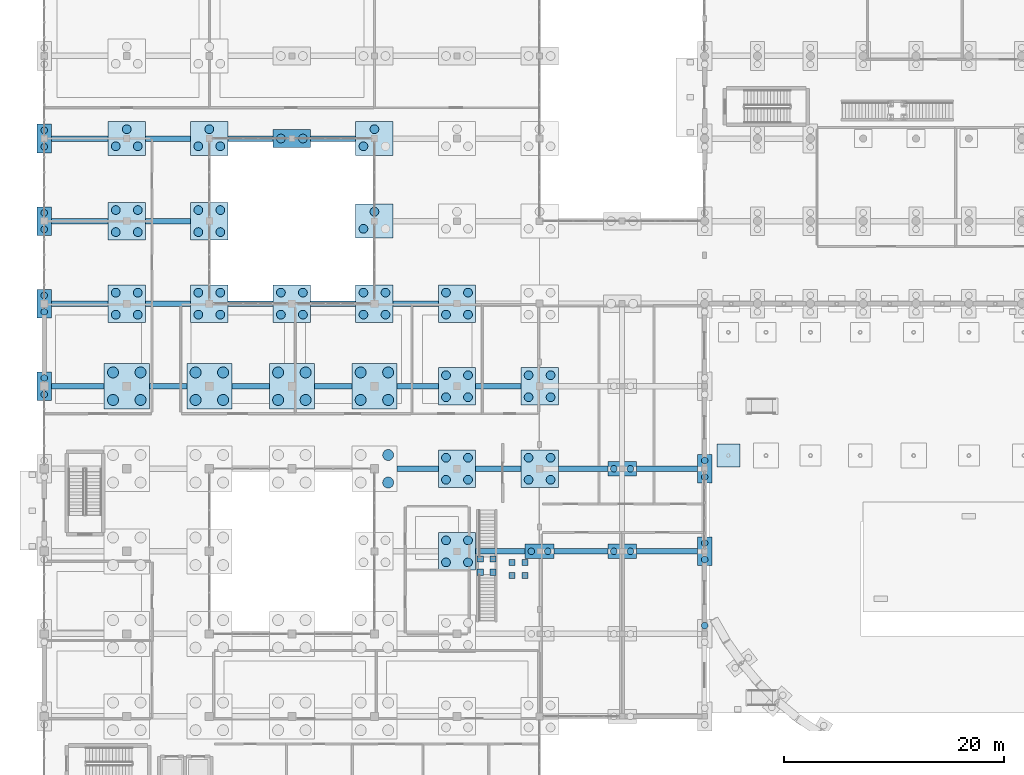
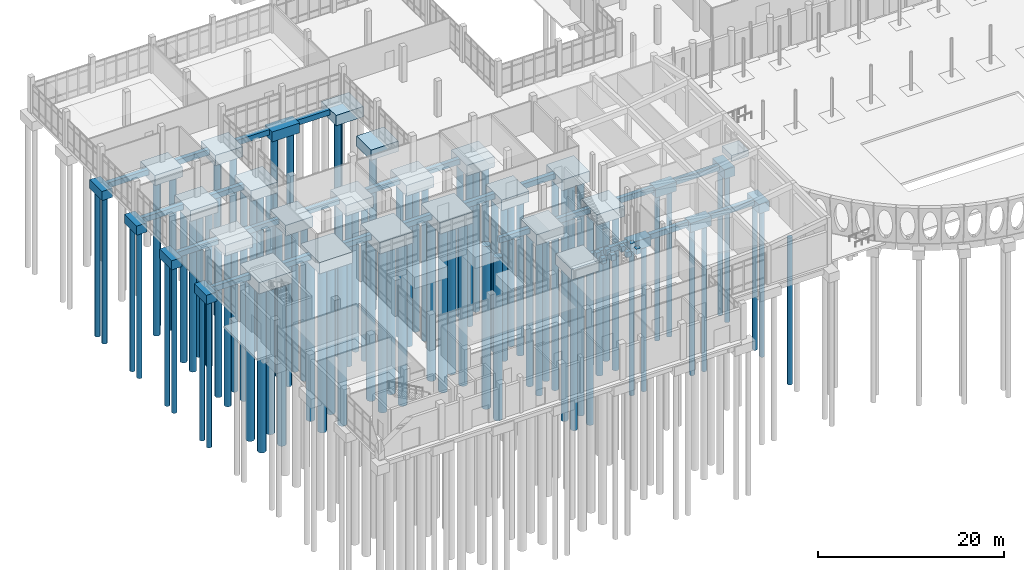
# One storey, part 2 of 173: 97 piles, 63 footings.
"""IFC4 building model written with IfcOpenShell, lengths in metres."""

from ifc_helpers import new_model, si_unit, direction, frame, origin, origin_2d, place, context, subcontext, project, spatial, rectangle, circle, extrude, material, material_profile, profile_set, type_object, element, save


model = new_model("IFC4")

# Units and contexts
model_context = context("Model", 3, precision=1e-05, world=origin(), true_north=direction((0.0, 1.0)))
body_context = subcontext(model_context, "Body", "Model", "MODEL_VIEW")
ifc_project = project(units=[si_unit("LENGTHUNIT", "METRE"), si_unit("AREAUNIT", "SQUARE_METRE"), si_unit("VOLUMEUNIT", "CUBIC_METRE"), si_unit("PLANEANGLEUNIT", "RADIAN"), si_unit("MASSUNIT", "GRAM", prefix="KILO")], contexts=[model_context])

# Site, building, storey
site_placement = place(None, origin())
site = spatial("IfcSite", under=ifc_project, at=site_placement, CompositionType="ELEMENT")
building_placement = place(site_placement, origin())
building = spatial("IfcBuilding", under=site, at=building_placement, Name="Mawjan Specialist Oncology Clinic", CompositionType="ELEMENT")
storey_placement = place(building_placement, origin())
storey = spatial("IfcBuildingStorey", under=building, at=storey_placement, Name="L00", CompositionType="ELEMENT", Elevation=0.0)

# Footings
ifc_material_1 = material(Name="Concrete C40/50", Category="concrete")
footing_type_1 = type_object("IfcFootingType", Name="PC-2A", PredefinedType="PILE_CAP", material=ifc_material_1)
for number, where, z_axis, x_axis, name in (
    (1, (0.0, 38.300048828125, -1.6201171875), (0.0, 0.0, 1.0), (0.0, 1.0, 0.0), "Pile Cap FTG-PC-006"),
    (2, (0.0, 45.800048828125, -1.6201171875), (0.0, 0.0, 1.0), (0.0, 1.0, 0.0), "Pile Cap FTG-PC-007"),
    (3, (0.0, 53.300048828125, -1.6201171875), (0.0, 0.0, 1.0), (0.0, 1.0, 0.0), "Pile Cap FTG-PC-008"),
    (4, (0.0, 60.800048828125, -1.6201171875), (0.0, 0.0, 1.0), (0.0, 1.0, 0.0), "Pile Cap FTG-PC-009"),
    (5, (45.0, 23.300048828125, -1.6201171875), (0.0, 0.0, 1.0), (1.0, 0.0, 0.0), "Pile Cap FTG-PC-078"),
    (6, (52.5, 23.300048828125, -1.6201171875), (0.0, 0.0, 1.0), (1.0, 0.0, 0.0), "Pile Cap FTG-PC-093"),
    (7, (52.5, 30.800048828125, -1.6201171875), (0.0, 0.0, 1.0), (1.0, 0.0, 0.0), "Pile Cap FTG-PC-094"),
    (8, (60.0, 23.300048828125, -1.6201171875), (0.0, 0.0, 1.0), (0.0, 1.0, 0.0), "Pile Cap FTG-PC-106"),
    (9, (60.0, 30.800048828125, -1.6201171875), (0.0, 0.0, 1.0), (0.0, 1.0, 0.0), "Pile Cap FTG-PC-107"),
):
    element("IfcFooting", number, at=place(storey_placement, frame(where, z_axis=z_axis, x_axis=x_axis)), inside=storey, type_object=footing_type_1, Name=name, PredefinedType="PILE_CAP", context=body_context, shape_type="SweptSolid", body=[
        extrude(rectangle(XDim=2.60009765625, YDim=1.300048828125, at=origin_2d()), origin(), (0.0, 0.0, 1.0), 1.199951171875),
    ])
ifc_material_2 = material(Name="Concrete C40/50", Category="concrete")
footing_type_2 = type_object("IfcFootingType", Name="PC-2B", PredefinedType="PILE_CAP", material=ifc_material_2)
footing_1_placement = place(storey_placement, frame((22.5, 60.800048828125, -1.72021484375), z_axis=(0.0, 0.0, 1.0), x_axis=(1.0, 0.0, 0.0)))
element("IfcFooting", 10, at=footing_1_placement, inside=storey, type_object=footing_type_2, Name="Pile Cap FTG-PC-040", PredefinedType="PILE_CAP", context=body_context, shape_type="SweptSolid", body=[
    extrude(rectangle(XDim=3.39990234375, YDim=1.60009765625, at=origin_2d()), origin(), (0.0, 0.0, 1.0), 1.300048828125),
])
ifc_material_3 = material(Name="Concrete C40/50", Category="concrete")
footing_type_3 = type_object("IfcFootingType", Name="PC-3A", PredefinedType="PILE_CAP", material=ifc_material_3)
for number, where, z_axis, x_axis, name in (
    (11, (7.5, 60.800048828125, -1.77001953125), (0.0, 0.0, 1.0), (1.0, 0.0, 0.0), "Pile Cap FTG-PC-020"),
    (12, (15.0, 60.800048828125, -1.77001953125), (0.0, 0.0, 1.0), (1.0, 0.0, 0.0), "Pile Cap FTG-PC-031"),
    (13, (30.0, 53.300048828125, -1.77001953125), (0.0, 0.0, 1.0), (1.0, 0.0, 0.0), "Pile Cap FTG-PC-050"),
    (14, (30.0, 60.800048828125, -1.77001953125), (0.0, 0.0, 1.0), (1.0, 0.0, 0.0), "Pile Cap FTG-PC-051"),
):
    element("IfcFooting", number, at=place(storey_placement, frame(where, z_axis=z_axis, x_axis=x_axis)), inside=storey, type_object=footing_type_3, Name=name, PredefinedType="PILE_CAP", context=body_context, shape_type="SweptSolid", body=[
        extrude(rectangle(XDim=3.39990234375, YDim=3.10009765625, at=origin_2d()), origin(), (0.0, 0.0, 1.0), 1.35009765625),
    ])
ifc_material_4 = material(Name="Concrete C40/50", Category="concrete")
footing_type_4 = type_object("IfcFootingType", Name="PC-4A", PredefinedType="PILE_CAP", material=ifc_material_4)
for number, where, z_axis, x_axis, name in (
    (15, (7.5, 45.800048828125, -1.820068359375), (0.0, 0.0, 1.0), (1.0, 0.0, 0.0), "Pile Cap FTG-PC-018"),
    (16, (7.5, 53.300048828125, -1.820068359375), (0.0, 0.0, 1.0), (1.0, 0.0, 0.0), "Pile Cap FTG-PC-019"),
    (17, (15.0, 45.800048828125, -1.820068359375), (0.0, 0.0, 1.0), (1.0, 0.0, 0.0), "Pile Cap FTG-PC-029"),
    (18, (15.0, 53.300048828125, -1.820068359375), (0.0, 0.0, 1.0), (1.0, 0.0, 0.0), "Pile Cap FTG-PC-030"),
    (19, (22.5, 45.800048828125, -1.820068359375), (0.0, 0.0, 1.0), (1.0, 0.0, 0.0), "Pile Cap FTG-PC-039"),
    (20, (30.0, 45.800048828125, -1.820068359375), (0.0, 0.0, 1.0), (1.0, 0.0, 0.0), "Pile Cap FTG-PC-049"),
    (21, (37.5, 23.300048828125, -1.820068359375), (0.0, 0.0, 1.0), (1.0, 0.0, 0.0), "Pile Cap FTG-PC-062"),
    (22, (37.5, 30.800048828125, -1.820068359375), (0.0, 0.0, 1.0), (1.0, 0.0, 0.0), "Pile Cap FTG-PC-063"),
    (23, (37.5, 38.300048828125, -1.820068359375), (0.0, 0.0, 1.0), (1.0, 0.0, 0.0), "Pile Cap FTG-PC-064"),
    (24, (37.5, 45.800048828125, -1.820068359375), (0.0, 0.0, 1.0), (1.0, 0.0, 0.0), "Pile Cap FTG-PC-065"),
    (25, (45.0, 30.800048828125, -1.820068359375), (0.0, 0.0, 1.0), (1.0, 0.0, 0.0), "Pile Cap FTG-PC-079"),
    (26, (45.0, 38.300048828125, -1.820068359375), (0.0, 0.0, 1.0), (1.0, 0.0, 0.0), "Pile Cap FTG-PC-080"),
):
    element("IfcFooting", number, at=place(storey_placement, frame(where, z_axis=z_axis, x_axis=x_axis)), inside=storey, type_object=footing_type_4, Name=name, PredefinedType="PILE_CAP", context=body_context, shape_type="SweptSolid", body=[
        extrude(rectangle(XDim=3.39990234375, YDim=3.39990234375, at=origin_2d()), origin(), (0.0, 0.0, 1.0), 1.39990234375),
    ])
ifc_material_5 = material(Name="Concrete C40/50", Category="concrete")
footing_type_5 = type_object("IfcFootingType", Name="PC-4B", PredefinedType="PILE_CAP", material=ifc_material_5)
for number, where, z_axis, x_axis, name in (
    (27, (7.5, 38.300048828125, -1.919921875), (0.0, 0.0, 1.0), (1.0, 0.0, 0.0), "Pile Cap FTG-PC-017"),
    (28, (15.0, 38.300048828125, -1.919921875), (0.0, 0.0, 1.0), (1.0, 0.0, 0.0), "Pile Cap FTG-PC-028"),
    (29, (22.5, 38.300048828125, -1.919921875), (0.0, 0.0, 1.0), (1.0, 0.0, 0.0), "Pile Cap FTG-PC-038"),
    (30, (30.0, 38.300048828125, -1.919921875), (0.0, 0.0, 1.0), (1.0, 0.0, 0.0), "Pile Cap FTG-PC-048"),
):
    element("IfcFooting", number, at=place(storey_placement, frame(where, z_axis=z_axis, x_axis=x_axis)), inside=storey, type_object=footing_type_5, Name=name, PredefinedType="PILE_CAP", context=body_context, shape_type="SweptSolid", body=[
        extrude(rectangle(XDim=4.10009765625, YDim=4.10009765625, at=origin_2d()), origin(), (0.0, 0.0, 1.0), 1.5),
    ])
ifc_material_6 = material(Name="Concrete C40/50", Category="concrete")
footing_type_6 = type_object("IfcFootingType", Name="PF-GDN1", PredefinedType="PAD_FOOTING", material=ifc_material_6)
footing_2_placement = place(storey_placement, frame((62.152587890625, 32.0, -0.7998046875), z_axis=(0.0, 0.0, 1.0), x_axis=(1.0, 0.0, 0.0)))
element("IfcFooting", 31, at=footing_2_placement, inside=storey, type_object=footing_type_6, Name="Courtyard Canopy Pad Footing 1", PredefinedType="PAD_FOOTING", context=body_context, shape_type="SweptSolid", body=[
    extrude(rectangle(XDim=2.10009765625, YDim=2.10009765625, at=origin_2d()), origin(), (0.0, 0.0, 1.0), 0.800048828125),
])

# Piles
ifc_material_7 = material(Name="Concrete C40/50", Category="concrete")
ifc_material_profile_1 = material_profile(ifc_material_7, circle(Radius=0.5, at=origin_2d()), Name="BORED PILE D1000", Category="concrete")
ifc_profile_set_1 = profile_set([ifc_material_profile_1], Name="Concrete C40/50")
pile_type_1 = type_object("IfcPileType", Name="PILE-1000", PredefinedType="BORED", material=ifc_profile_set_1)
for number, where, z_axis, x_axis, name in (
    (32, (6.25, 37.050048828125, -1.820068359375), (0.0, 0.0, -1.0), (1.0, 0.0, 0.0), "Bored Pile PIL-0040"),
    (33, (8.75, 37.050048828125, -1.820068359375), (0.0, 0.0, -1.0), (1.0, 0.0, 0.0), "Bored Pile PIL-0041"),
    (34, (6.25, 39.550048828125, -1.820068359375), (0.0, 0.0, -1.0), (1.0, 0.0, 0.0), "Bored Pile PIL-0042"),
    (35, (8.75, 39.550048828125, -1.820068359375), (0.0, 0.0, -1.0), (1.0, 0.0, 0.0), "Bored Pile PIL-0043"),
    (36, (13.75, 37.050048828125, -1.820068359375), (0.0, 0.0, -1.0), (1.0, 0.0, 0.0), "Bored Pile PIL-0079"),
    (37, (16.25, 37.050048828125, -1.820068359375), (0.0, 0.0, -1.0), (1.0, 0.0, 0.0), "Bored Pile PIL-0080"),
    (38, (13.75, 39.550048828125, -1.820068359375), (0.0, 0.0, -1.0), (1.0, 0.0, 0.0), "Bored Pile PIL-0081"),
    (39, (16.25, 39.550048828125, -1.820068359375), (0.0, 0.0, -1.0), (1.0, 0.0, 0.0), "Bored Pile PIL-0082"),
    (40, (21.25, 37.050048828125, -1.820068359375), (0.0, 0.0, -1.0), (1.0, 0.0, 0.0), "Bored Pile PIL-0114"),
    (41, (23.75, 37.050048828125, -1.820068359375), (0.0, 0.0, -1.0), (1.0, 0.0, 0.0), "Bored Pile PIL-0115"),
    (42, (21.25, 39.550048828125, -1.820068359375), (0.0, 0.0, -1.0), (1.0, 0.0, 0.0), "Bored Pile PIL-0116"),
    (43, (23.75, 39.550048828125, -1.820068359375), (0.0, 0.0, -1.0), (1.0, 0.0, 0.0), "Bored Pile PIL-0117"),
    (44, (31.25, 29.550048828125, -1.820068359375), (0.0, 0.0, -1.0), (1.0, 0.0, 0.0), "Bored Pile PIL-0143"),
    (45, (31.25, 32.050048828125, -1.820068359375), (0.0, 0.0, -1.0), (1.0, 0.0, 0.0), "Bored Pile PIL-0145"),
    (46, (28.75, 37.050048828125, -1.820068359375), (0.0, 0.0, -1.0), (1.0, 0.0, 0.0), "Bored Pile PIL-0146"),
    (47, (31.25, 37.050048828125, -1.820068359375), (0.0, 0.0, -1.0), (1.0, 0.0, 0.0), "Bored Pile PIL-0147"),
    (48, (28.75, 39.550048828125, -1.820068359375), (0.0, 0.0, -1.0), (1.0, 0.0, 0.0), "Bored Pile PIL-0148"),
    (49, (31.25, 39.550048828125, -1.820068359375), (0.0, 0.0, -1.0), (1.0, 0.0, 0.0), "Bored Pile PIL-0149"),
):
    element("IfcPile", number, at=place(storey_placement, frame(where, z_axis=z_axis, x_axis=x_axis)), inside=storey, type_object=pile_type_1, Name=name, PredefinedType="BORED", context=body_context, shape_type="SweptSolid", body=[
        extrude(circle(Radius=0.5, at=origin_2d()), origin(), (0.0, 0.0, 1.0), 21.3798828125),
    ])
ifc_material_8 = material(Name="Concrete C40/50", Category="concrete")
ifc_material_profile_2 = material_profile(ifc_material_8, circle(Radius=0.300048828125, at=origin_2d()), Name="BORED PILE D600", Category="concrete")
ifc_profile_set_2 = profile_set([ifc_material_profile_2], Name="Concrete C40/50")
pile_type_2 = type_object("IfcPileType", Name="PILE-600", PredefinedType="BORED", material=ifc_profile_set_2)
for number, where, z_axis, x_axis, name in (
    (50, (0.0, 37.550048828125, -1.52001953125), (0.0, 0.0, -1.0), (1.0, 0.0, 0.0), "Bored Pile PIL-0010"),
    (51, (0.0, 39.050048828125, -1.52001953125), (0.0, 0.0, -1.0), (1.0, 0.0, 0.0), "Bored Pile PIL-0011"),
    (52, (0.0, 45.050048828125, -1.52001953125), (0.0, 0.0, -1.0), (1.0, 0.0, 0.0), "Bored Pile PIL-0012"),
    (53, (0.0, 46.550048828125, -1.52001953125), (0.0, 0.0, -1.0), (1.0, 0.0, 0.0), "Bored Pile PIL-0013"),
    (54, (0.0, 52.550048828125, -1.52001953125), (0.0, 0.0, -1.0), (1.0, 0.0, 0.0), "Bored Pile PIL-0014"),
    (55, (0.0, 54.050048828125, -1.52001953125), (0.0, 0.0, -1.0), (1.0, 0.0, 0.0), "Bored Pile PIL-0015"),
    (56, (0.0, 60.050048828125, -1.52001953125), (0.0, 0.0, -1.0), (1.0, 0.0, 0.0), "Bored Pile PIL-0016"),
    (57, (0.0, 61.550048828125, -1.52001953125), (0.0, 0.0, -1.0), (1.0, 0.0, 0.0), "Bored Pile PIL-0017"),
    (58, (44.25, 23.300048828125, -1.52001953125), (0.0, 0.0, -1.0), (1.0, 0.0, 0.0), "Bored Pile PIL-0228"),
    (59, (45.75, 23.300048828125, -1.52001953125), (0.0, 0.0, -1.0), (1.0, 0.0, 0.0), "Bored Pile PIL-0229"),
    (60, (51.75, 23.300048828125, -1.52001953125), (0.0, 0.0, -1.0), (1.0, 0.0, 0.0), "Bored Pile PIL-0275"),
    (61, (53.25, 23.300048828125, -1.52001953125), (0.0, 0.0, -1.0), (1.0, 0.0, 0.0), "Bored Pile PIL-0276"),
    (62, (51.75, 30.800048828125, -1.52001953125), (0.0, 0.0, -1.0), (1.0, 0.0, 0.0), "Bored Pile PIL-0277"),
    (63, (53.25, 30.800048828125, -1.52001953125), (0.0, 0.0, -1.0), (1.0, 0.0, 0.0), "Bored Pile PIL-0278"),
    (64, (60.0, 16.550048828125, -1.52001953125), (0.0, 0.0, -1.0), (1.0, 0.0, 0.0), "Bored Pile PIL-0308"),
    (65, (60.0, 22.550048828125, -1.52001953125), (0.0, 0.0, -1.0), (1.0, 0.0, 0.0), "Bored Pile PIL-0309"),
    (66, (60.0, 24.050048828125, -1.52001953125), (0.0, 0.0, -1.0), (1.0, 0.0, 0.0), "Bored Pile PIL-0310"),
    (67, (60.0, 30.050048828125, -1.52001953125), (0.0, 0.0, -1.0), (1.0, 0.0, 0.0), "Bored Pile PIL-0311"),
    (68, (60.0, 31.550048828125, -1.52001953125), (0.0, 0.0, -1.0), (1.0, 0.0, 0.0), "Bored Pile PIL-0312"),
):
    element("IfcPile", number, at=place(storey_placement, frame(where, z_axis=z_axis, x_axis=x_axis)), inside=storey, type_object=pile_type_2, Name=name, PredefinedType="BORED", context=body_context, shape_type="SweptSolid", body=[
        extrude(circle(Radius=0.300048828125, at=origin_2d()), origin(), (0.0, 0.0, 1.0), 19.280029296875),
    ])
ifc_material_9 = material(Name="Concrete C40/50", Category="concrete")
ifc_material_profile_3 = material_profile(ifc_material_9, circle(Radius=0.39990234375, at=origin_2d()), Name="BORED PILE D800", Category="concrete")
ifc_profile_set_3 = profile_set([ifc_material_profile_3], Name="Concrete C40/50")
pile_type_3 = type_object("IfcPileType", Name="PILE-800", PredefinedType="BORED", material=ifc_profile_set_3)
for number, where, z_axis, x_axis, name in (
    (69, (6.5, 44.800048828125, -1.719970703125), (0.0, 0.0, -1.0), (1.0, 0.0, 0.0), "Bored Pile PIL-0044"),
    (70, (8.5, 44.800048828125, -1.719970703125), (0.0, 0.0, -1.0), (1.0, 0.0, 0.0), "Bored Pile PIL-0045"),
    (71, (6.5, 46.800048828125, -1.719970703125), (0.0, 0.0, -1.0), (1.0, 0.0, 0.0), "Bored Pile PIL-0046"),
    (72, (8.5, 46.800048828125, -1.719970703125), (0.0, 0.0, -1.0), (1.0, 0.0, 0.0), "Bored Pile PIL-0047"),
    (73, (6.5, 52.300048828125, -1.719970703125), (0.0, 0.0, -1.0), (1.0, 0.0, 0.0), "Bored Pile PIL-0048"),
    (74, (8.5, 52.300048828125, -1.719970703125), (0.0, 0.0, -1.0), (1.0, 0.0, 0.0), "Bored Pile PIL-0049"),
    (75, (6.5, 54.300048828125, -1.719970703125), (0.0, 0.0, -1.0), (1.0, 0.0, 0.0), "Bored Pile PIL-0050"),
    (76, (8.5, 54.300048828125, -1.719970703125), (0.0, 0.0, -1.0), (1.0, 0.0, 0.0), "Bored Pile PIL-0051"),
):
    element("IfcPile", number, at=place(storey_placement, frame(where, z_axis=z_axis, x_axis=x_axis)), inside=storey, type_object=pile_type_3, Name=name, PredefinedType="BORED", context=body_context, shape_type="SweptSolid", body=[
        extrude(circle(Radius=0.39990234375, at=origin_2d()), origin(), (0.0, 0.0, 1.0), 20.280029296875),
    ])
for number, where, z_axis, x_axis, name in (
    (77, (6.5, 60.10009765625, -1.669921875), (0.0, 0.0, -1.0), (1.0, 0.0, 0.0), "Bored Pile PIL-0052"),
    (78, (8.5, 60.10009765625, -1.669921875), (0.0, 0.0, -1.0), (1.0, 0.0, 0.0), "Bored Pile PIL-0053"),
    (79, (7.5, 61.64990234375, -1.669921875), (0.0, 0.0, -1.0), (1.0, 0.0, 0.0), "Bored Pile PIL-0054"),
):
    element("IfcPile", number, at=place(storey_placement, frame(where, z_axis=z_axis, x_axis=x_axis)), inside=storey, type_object=pile_type_3, Name=name, PredefinedType="BORED", context=body_context, shape_type="SweptSolid", body=[
        extrude(circle(Radius=0.39990234375, at=origin_2d()), origin(), (0.0, 0.0, 1.0), 20.330078125),
    ])
for number, where, z_axis, x_axis, name in (
    (80, (14.0, 44.800048828125, -1.719970703125), (0.0, 0.0, -1.0), (1.0, 0.0, 0.0), "Bored Pile PIL-0083"),
    (81, (16.0, 44.800048828125, -1.719970703125), (0.0, 0.0, -1.0), (1.0, 0.0, 0.0), "Bored Pile PIL-0084"),
    (82, (14.0, 46.800048828125, -1.719970703125), (0.0, 0.0, -1.0), (1.0, 0.0, 0.0), "Bored Pile PIL-0085"),
    (83, (16.0, 46.800048828125, -1.719970703125), (0.0, 0.0, -1.0), (1.0, 0.0, 0.0), "Bored Pile PIL-0086"),
    (84, (14.0, 52.300048828125, -1.719970703125), (0.0, 0.0, -1.0), (1.0, 0.0, 0.0), "Bored Pile PIL-0087"),
    (85, (16.0, 52.300048828125, -1.719970703125), (0.0, 0.0, -1.0), (1.0, 0.0, 0.0), "Bored Pile PIL-0088"),
    (86, (14.0, 54.300048828125, -1.719970703125), (0.0, 0.0, -1.0), (1.0, 0.0, 0.0), "Bored Pile PIL-0089"),
    (87, (16.0, 54.300048828125, -1.719970703125), (0.0, 0.0, -1.0), (1.0, 0.0, 0.0), "Bored Pile PIL-0090"),
):
    element("IfcPile", number, at=place(storey_placement, frame(where, z_axis=z_axis, x_axis=x_axis)), inside=storey, type_object=pile_type_3, Name=name, PredefinedType="BORED", context=body_context, shape_type="SweptSolid", body=[
        extrude(circle(Radius=0.39990234375, at=origin_2d()), origin(), (0.0, 0.0, 1.0), 20.280029296875),
    ])
for number, where, z_axis, x_axis, name in (
    (88, (14.0, 60.10009765625, -1.669921875), (0.0, 0.0, -1.0), (1.0, 0.0, 0.0), "Bored Pile PIL-0091"),
    (89, (16.0, 60.10009765625, -1.669921875), (0.0, 0.0, -1.0), (1.0, 0.0, 0.0), "Bored Pile PIL-0092"),
    (90, (15.0, 61.64990234375, -1.669921875), (0.0, 0.0, -1.0), (1.0, 0.0, 0.0), "Bored Pile PIL-0093"),
):
    element("IfcPile", number, at=place(storey_placement, frame(where, z_axis=z_axis, x_axis=x_axis)), inside=storey, type_object=pile_type_3, Name=name, PredefinedType="BORED", context=body_context, shape_type="SweptSolid", body=[
        extrude(circle(Radius=0.39990234375, at=origin_2d()), origin(), (0.0, 0.0, 1.0), 20.330078125),
    ])
for number, where, z_axis, x_axis, name in (
    (91, (21.5, 44.800048828125, -1.719970703125), (0.0, 0.0, -1.0), (1.0, 0.0, 0.0), "Bored Pile PIL-0118"),
    (92, (23.5, 44.800048828125, -1.719970703125), (0.0, 0.0, -1.0), (1.0, 0.0, 0.0), "Bored Pile PIL-0119"),
    (93, (21.5, 46.800048828125, -1.719970703125), (0.0, 0.0, -1.0), (1.0, 0.0, 0.0), "Bored Pile PIL-0120"),
    (94, (23.5, 46.800048828125, -1.719970703125), (0.0, 0.0, -1.0), (1.0, 0.0, 0.0), "Bored Pile PIL-0121"),
):
    element("IfcPile", number, at=place(storey_placement, frame(where, z_axis=z_axis, x_axis=x_axis)), inside=storey, type_object=pile_type_3, Name=name, PredefinedType="BORED", context=body_context, shape_type="SweptSolid", body=[
        extrude(circle(Radius=0.39990234375, at=origin_2d()), origin(), (0.0, 0.0, 1.0), 20.280029296875),
    ])
for number, where, z_axis, x_axis, name in (
    (95, (21.5, 60.800048828125, -1.6201171875), (0.0, 0.0, -1.0), (1.0, 0.0, 0.0), "Bored Pile PIL-0122"),
    (96, (23.5, 60.800048828125, -1.6201171875), (0.0, 0.0, -1.0), (1.0, 0.0, 0.0), "Bored Pile PIL-0123"),
):
    element("IfcPile", number, at=place(storey_placement, frame(where, z_axis=z_axis, x_axis=x_axis)), inside=storey, type_object=pile_type_3, Name=name, PredefinedType="BORED", context=body_context, shape_type="SweptSolid", body=[
        extrude(circle(Radius=0.39990234375, at=origin_2d()), origin(), (0.0, 0.0, 1.0), 20.3798828125),
    ])
for number, where, z_axis, x_axis, name in (
    (97, (29.0, 44.800048828125, -1.719970703125), (0.0, 0.0, -1.0), (1.0, 0.0, 0.0), "Bored Pile PIL-0150"),
    (98, (31.0, 44.800048828125, -1.719970703125), (0.0, 0.0, -1.0), (1.0, 0.0, 0.0), "Bored Pile PIL-0151"),
    (99, (29.0, 46.800048828125, -1.719970703125), (0.0, 0.0, -1.0), (1.0, 0.0, 0.0), "Bored Pile PIL-0152"),
    (100, (31.0, 46.800048828125, -1.719970703125), (0.0, 0.0, -1.0), (1.0, 0.0, 0.0), "Bored Pile PIL-0153"),
):
    element("IfcPile", number, at=place(storey_placement, frame(where, z_axis=z_axis, x_axis=x_axis)), inside=storey, type_object=pile_type_3, Name=name, PredefinedType="BORED", context=body_context, shape_type="SweptSolid", body=[
        extrude(circle(Radius=0.39990234375, at=origin_2d()), origin(), (0.0, 0.0, 1.0), 20.280029296875),
    ])
for number, where, z_axis, x_axis, name in (
    (101, (29.0, 52.60009765625, -1.669921875), (0.0, 0.0, -1.0), (1.0, 0.0, 0.0), "Bored Pile PIL-0154"),
    (102, (30.0, 54.14990234375, -1.669921875), (0.0, 0.0, -1.0), (1.0, 0.0, 0.0), "Bored Pile PIL-0156"),
    (103, (29.0, 60.10009765625, -1.669921875), (0.0, 0.0, -1.0), (1.0, 0.0, 0.0), "Bored Pile PIL-0157"),
    (104, (30.0, 61.64990234375, -1.669921875), (0.0, 0.0, -1.0), (1.0, 0.0, 0.0), "Bored Pile PIL-0159"),
):
    element("IfcPile", number, at=place(storey_placement, frame(where, z_axis=z_axis, x_axis=x_axis)), inside=storey, type_object=pile_type_3, Name=name, PredefinedType="BORED", context=body_context, shape_type="SweptSolid", body=[
        extrude(circle(Radius=0.39990234375, at=origin_2d()), origin(), (0.0, 0.0, 1.0), 20.330078125),
    ])
for number, where, z_axis, x_axis, name in (
    (105, (36.5, 22.300048828125, -1.719970703125), (0.0, 0.0, -1.0), (1.0, 0.0, 0.0), "Bored Pile PIL-0184"),
    (106, (38.5, 22.300048828125, -1.719970703125), (0.0, 0.0, -1.0), (1.0, 0.0, 0.0), "Bored Pile PIL-0185"),
    (107, (36.5, 24.300048828125, -1.719970703125), (0.0, 0.0, -1.0), (1.0, 0.0, 0.0), "Bored Pile PIL-0186"),
    (108, (38.5, 24.300048828125, -1.719970703125), (0.0, 0.0, -1.0), (1.0, 0.0, 0.0), "Bored Pile PIL-0187"),
    (109, (36.5, 29.800048828125, -1.719970703125), (0.0, 0.0, -1.0), (1.0, 0.0, 0.0), "Bored Pile PIL-0188"),
    (110, (38.5, 29.800048828125, -1.719970703125), (0.0, 0.0, -1.0), (1.0, 0.0, 0.0), "Bored Pile PIL-0189"),
    (111, (36.5, 31.800048828125, -1.719970703125), (0.0, 0.0, -1.0), (1.0, 0.0, 0.0), "Bored Pile PIL-0190"),
    (112, (38.5, 31.800048828125, -1.719970703125), (0.0, 0.0, -1.0), (1.0, 0.0, 0.0), "Bored Pile PIL-0191"),
    (113, (36.5, 37.300048828125, -1.719970703125), (0.0, 0.0, -1.0), (1.0, 0.0, 0.0), "Bored Pile PIL-0192"),
    (114, (38.5, 37.300048828125, -1.719970703125), (0.0, 0.0, -1.0), (1.0, 0.0, 0.0), "Bored Pile PIL-0193"),
    (115, (36.5, 39.300048828125, -1.719970703125), (0.0, 0.0, -1.0), (1.0, 0.0, 0.0), "Bored Pile PIL-0194"),
    (116, (38.5, 39.300048828125, -1.719970703125), (0.0, 0.0, -1.0), (1.0, 0.0, 0.0), "Bored Pile PIL-0195"),
    (117, (36.5, 44.800048828125, -1.719970703125), (0.0, 0.0, -1.0), (1.0, 0.0, 0.0), "Bored Pile PIL-0196"),
    (118, (38.5, 44.800048828125, -1.719970703125), (0.0, 0.0, -1.0), (1.0, 0.0, 0.0), "Bored Pile PIL-0197"),
    (119, (36.5, 46.800048828125, -1.719970703125), (0.0, 0.0, -1.0), (1.0, 0.0, 0.0), "Bored Pile PIL-0198"),
    (120, (38.5, 46.800048828125, -1.719970703125), (0.0, 0.0, -1.0), (1.0, 0.0, 0.0), "Bored Pile PIL-0199"),
    (121, (44.0, 29.800048828125, -1.719970703125), (0.0, 0.0, -1.0), (1.0, 0.0, 0.0), "Bored Pile PIL-0230"),
    (122, (46.0, 29.800048828125, -1.719970703125), (0.0, 0.0, -1.0), (1.0, 0.0, 0.0), "Bored Pile PIL-0231"),
    (123, (44.0, 31.800048828125, -1.719970703125), (0.0, 0.0, -1.0), (1.0, 0.0, 0.0), "Bored Pile PIL-0232"),
    (124, (46.0, 31.800048828125, -1.719970703125), (0.0, 0.0, -1.0), (1.0, 0.0, 0.0), "Bored Pile PIL-0233"),
    (125, (44.0, 37.300048828125, -1.719970703125), (0.0, 0.0, -1.0), (1.0, 0.0, 0.0), "Bored Pile PIL-0234"),
    (126, (46.0, 37.300048828125, -1.719970703125), (0.0, 0.0, -1.0), (1.0, 0.0, 0.0), "Bored Pile PIL-0235"),
    (127, (44.0, 39.300048828125, -1.719970703125), (0.0, 0.0, -1.0), (1.0, 0.0, 0.0), "Bored Pile PIL-0236"),
    (128, (46.0, 39.300048828125, -1.719970703125), (0.0, 0.0, -1.0), (1.0, 0.0, 0.0), "Bored Pile PIL-0237"),
):
    element("IfcPile", number, at=place(storey_placement, frame(where, z_axis=z_axis, x_axis=x_axis)), inside=storey, type_object=pile_type_3, Name=name, PredefinedType="BORED", context=body_context, shape_type="SweptSolid", body=[
        extrude(circle(Radius=0.39990234375, at=origin_2d()), origin(), (0.0, 0.0, 1.0), 20.280029296875),
    ])

# Footings
ifc_material_10 = material(Name="Concrete C40/50", Category="concrete")
footing_type_7 = type_object("IfcFootingType", Name="SF-500", PredefinedType="STRIP_FOOTING", material=ifc_material_10)
footing_3_placement = place(storey_placement, frame((41.449951171875, 23.300048828125, -1.1201171875), z_axis=(0.0, 0.0, 1.0), x_axis=(1.0, 0.0, 0.0)))
element("IfcFooting", 129, at=footing_3_placement, inside=storey, type_object=footing_type_7, Name="Foundation Tie Strip FTG-SF-050", PredefinedType="STRIP_FOOTING", context=body_context, shape_type="SweptSolid", body=[
    extrude(rectangle(XDim=4.5, YDim=0.5, at=origin_2d()), origin(), (0.0, 0.0, 1.0), 0.699951171875),
])
footing_4_placement = place(storey_placement, frame((48.75, 23.300048828125, -1.1201171875), z_axis=(0.0, 0.0, 1.0), x_axis=(1.0, 0.0, 0.0)))
element("IfcFooting", 130, at=footing_4_placement, inside=storey, type_object=footing_type_7, Name="Foundation Tie Strip FTG-SF-051", PredefinedType="STRIP_FOOTING", context=body_context, shape_type="SweptSolid", body=[
    extrude(rectangle(XDim=4.89990234375, YDim=0.5, at=origin_2d()), origin(), (0.0, 0.0, 1.0), 0.699951171875),
])
footing_5_placement = place(storey_placement, frame((56.574951171875, 23.300048828125, -1.1201171875), z_axis=(0.0, 0.0, 1.0), x_axis=(1.0, 0.0, 0.0)))
element("IfcFooting", 131, at=footing_5_placement, inside=storey, type_object=footing_type_7, Name="Foundation Tie Strip FTG-SF-052", PredefinedType="STRIP_FOOTING", context=body_context, shape_type="SweptSolid", body=[
    extrude(rectangle(XDim=5.550048828125, YDim=0.5, at=origin_2d()), origin(), (0.0, 0.0, 1.0), 0.699951171875),
])
footing_6_placement = place(storey_placement, frame((33.925048828125, 30.800048828125, -1.1201171875), z_axis=(0.0, 0.0, 1.0), x_axis=(1.0, 0.0, 0.0)))
element("IfcFooting", 132, at=footing_6_placement, inside=storey, type_object=footing_type_7, Name="Foundation Tie Strip FTG-SF-057", PredefinedType="STRIP_FOOTING", context=body_context, shape_type="SweptSolid", body=[
    extrude(rectangle(XDim=3.75, YDim=0.5, at=origin_2d()), origin(), (0.0, 0.0, 1.0), 0.699951171875),
])
footing_7_placement = place(storey_placement, frame((41.25, 30.800048828125, -1.1201171875), z_axis=(0.0, 0.0, 1.0), x_axis=(1.0, 0.0, 0.0)))
element("IfcFooting", 133, at=footing_7_placement, inside=storey, type_object=footing_type_7, Name="Foundation Tie Strip FTG-SF-058", PredefinedType="STRIP_FOOTING", context=body_context, shape_type="SweptSolid", body=[
    extrude(rectangle(XDim=4.10009765625, YDim=0.5, at=origin_2d()), origin(), (0.0, 0.0, 1.0), 0.699951171875),
])
footing_8_placement = place(storey_placement, frame((48.949951171875, 30.800048828125, -1.1201171875), z_axis=(0.0, 0.0, 1.0), x_axis=(1.0, 0.0, 0.0)))
element("IfcFooting", 134, at=footing_8_placement, inside=storey, type_object=footing_type_7, Name="Foundation Tie Strip FTG-SF-059", PredefinedType="STRIP_FOOTING", context=body_context, shape_type="SweptSolid", body=[
    extrude(rectangle(XDim=4.5, YDim=0.5, at=origin_2d()), origin(), (0.0, 0.0, 1.0), 0.699951171875),
])
footing_9_placement = place(storey_placement, frame((56.574951171875, 30.800048828125, -1.1201171875), z_axis=(0.0, 0.0, 1.0), x_axis=(1.0, 0.0, 0.0)))
element("IfcFooting", 135, at=footing_9_placement, inside=storey, type_object=footing_type_7, Name="Foundation Tie Strip FTG-SF-060", PredefinedType="STRIP_FOOTING", context=body_context, shape_type="SweptSolid", body=[
    extrude(rectangle(XDim=5.550048828125, YDim=0.5, at=origin_2d()), origin(), (0.0, 0.0, 1.0), 0.699951171875),
])
footing_10_placement = place(storey_placement, frame((3.050048828125, 38.300048828125, -1.1201171875), z_axis=(0.0, 0.0, 1.0), x_axis=(1.0, 0.0, 0.0)))
element("IfcFooting", 136, at=footing_10_placement, inside=storey, type_object=footing_type_7, Name="Foundation Tie Strip FTG-SF-061", PredefinedType="STRIP_FOOTING", context=body_context, shape_type="SweptSolid", body=[
    extrude(rectangle(XDim=4.800048828125, YDim=0.5, at=origin_2d()), origin(), (0.0, 0.0, 1.0), 0.699951171875),
])
for number, where, z_axis, x_axis, name in (
    (137, (11.25, 38.300048828125, -1.1201171875), (0.0, 0.0, 1.0), (1.0, 0.0, 0.0), "Foundation Tie Strip FTG-SF-062"),
    (138, (18.75, 38.300048828125, -1.1201171875), (0.0, 0.0, 1.0), (1.0, 0.0, 0.0), "Foundation Tie Strip FTG-SF-063"),
    (139, (26.25, 38.300048828125, -1.1201171875), (0.0, 0.0, 1.0), (1.0, 0.0, 0.0), "Foundation Tie Strip FTG-SF-064"),
):
    element("IfcFooting", number, at=place(storey_placement, frame(where, z_axis=z_axis, x_axis=x_axis)), inside=storey, type_object=footing_type_7, Name=name, PredefinedType="STRIP_FOOTING", context=body_context, shape_type="SweptSolid", body=[
        extrude(rectangle(XDim=3.39990234375, YDim=0.5, at=origin_2d()), origin(), (0.0, 0.0, 1.0), 0.699951171875),
    ])
footing_11_placement = place(storey_placement, frame((33.925048828125, 38.300048828125, -1.1201171875), z_axis=(0.0, 0.0, 1.0), x_axis=(1.0, 0.0, 0.0)))
element("IfcFooting", 140, at=footing_11_placement, inside=storey, type_object=footing_type_7, Name="Foundation Tie Strip FTG-SF-065", PredefinedType="STRIP_FOOTING", context=body_context, shape_type="SweptSolid", body=[
    extrude(rectangle(XDim=3.75, YDim=0.5, at=origin_2d()), origin(), (0.0, 0.0, 1.0), 0.699951171875),
])
footing_12_placement = place(storey_placement, frame((41.25, 38.300048828125, -1.1201171875), z_axis=(0.0, 0.0, 1.0), x_axis=(1.0, 0.0, 0.0)))
element("IfcFooting", 141, at=footing_12_placement, inside=storey, type_object=footing_type_7, Name="Foundation Tie Strip FTG-SF-066", PredefinedType="STRIP_FOOTING", context=body_context, shape_type="SweptSolid", body=[
    extrude(rectangle(XDim=4.10009765625, YDim=0.5, at=origin_2d()), origin(), (0.0, 0.0, 1.0), 0.699951171875),
])
footing_13_placement = place(storey_placement, frame((3.22509765625, 45.800048828125, -1.1201171875), z_axis=(0.0, 0.0, 1.0), x_axis=(1.0, 0.0, 0.0)))
element("IfcFooting", 142, at=footing_13_placement, inside=storey, type_object=footing_type_7, Name="Foundation Tie Strip FTG-SF-069", PredefinedType="STRIP_FOOTING", context=body_context, shape_type="SweptSolid", body=[
    extrude(rectangle(XDim=5.14990234375, YDim=0.5, at=origin_2d()), origin(), (0.0, 0.0, 1.0), 0.699951171875),
])
for number, where, z_axis, x_axis, name in (
    (143, (11.25, 45.800048828125, -1.1201171875), (0.0, 0.0, 1.0), (1.0, 0.0, 0.0), "Foundation Tie Strip FTG-SF-070"),
    (144, (18.75, 45.800048828125, -1.1201171875), (0.0, 0.0, 1.0), (1.0, 0.0, 0.0), "Foundation Tie Strip FTG-SF-071"),
    (145, (26.25, 45.800048828125, -1.1201171875), (0.0, 0.0, 1.0), (1.0, 0.0, 0.0), "Foundation Tie Strip FTG-SF-072"),
    (146, (33.75, 45.800048828125, -1.1201171875), (0.0, 0.0, 1.0), (1.0, 0.0, 0.0), "Foundation Tie Strip FTG-SF-073"),
):
    element("IfcFooting", number, at=place(storey_placement, frame(where, z_axis=z_axis, x_axis=x_axis)), inside=storey, type_object=footing_type_7, Name=name, PredefinedType="STRIP_FOOTING", context=body_context, shape_type="SweptSolid", body=[
        extrude(rectangle(XDim=4.10009765625, YDim=0.5, at=origin_2d()), origin(), (0.0, 0.0, 1.0), 0.699951171875),
    ])
footing_14_placement = place(storey_placement, frame((3.22509765625, 53.300048828125, -1.1201171875), z_axis=(0.0, 0.0, 1.0), x_axis=(1.0, 0.0, 0.0)))
element("IfcFooting", 147, at=footing_14_placement, inside=storey, type_object=footing_type_7, Name="Foundation Tie Strip FTG-SF-087", PredefinedType="STRIP_FOOTING", context=body_context, shape_type="SweptSolid", body=[
    extrude(rectangle(XDim=5.14990234375, YDim=0.5, at=origin_2d()), origin(), (0.0, 0.0, 1.0), 0.699951171875),
])
footing_15_placement = place(storey_placement, frame((11.25, 53.300048828125, -1.1201171875), z_axis=(0.0, 0.0, 1.0), x_axis=(1.0, 0.0, 0.0)))
element("IfcFooting", 148, at=footing_15_placement, inside=storey, type_object=footing_type_7, Name="Foundation Tie Strip FTG-SF-088", PredefinedType="STRIP_FOOTING", context=body_context, shape_type="SweptSolid", body=[
    extrude(rectangle(XDim=4.10009765625, YDim=0.5, at=origin_2d()), origin(), (0.0, 0.0, 1.0), 0.699951171875),
])
footing_16_placement = place(storey_placement, frame((3.22509765625, 60.800048828125, -1.1201171875), z_axis=(0.0, 0.0, 1.0), x_axis=(1.0, 0.0, 0.0)))
element("IfcFooting", 149, at=footing_16_placement, inside=storey, type_object=footing_type_7, Name="Foundation Tie Strip FTG-SF-105", PredefinedType="STRIP_FOOTING", context=body_context, shape_type="SweptSolid", body=[
    extrude(rectangle(XDim=5.14990234375, YDim=0.5, at=origin_2d()), origin(), (0.0, 0.0, 1.0), 0.699951171875),
])
for number, where, z_axis, x_axis, name in (
    (150, (11.25, 60.800048828125, -1.1201171875), (0.0, 0.0, 1.0), (1.0, 0.0, 0.0), "Foundation Tie Strip FTG-SF-106"),
    (151, (18.75, 60.800048828125, -1.1201171875), (0.0, 0.0, 1.0), (1.0, 0.0, 0.0), "Foundation Tie Strip FTG-SF-107"),
    (152, (26.25, 60.800048828125, -1.1201171875), (0.0, 0.0, 1.0), (1.0, 0.0, 0.0), "Foundation Tie Strip FTG-SF-108"),
):
    element("IfcFooting", number, at=place(storey_placement, frame(where, z_axis=z_axis, x_axis=x_axis)), inside=storey, type_object=footing_type_7, Name=name, PredefinedType="STRIP_FOOTING", context=body_context, shape_type="SweptSolid", body=[
        extrude(rectangle(XDim=4.10009765625, YDim=0.5, at=origin_2d()), origin(), (0.0, 0.0, 1.0), 0.699951171875),
    ])
for number, where, z_axis, x_axis, name in (
    (153, (39.614990234375, 21.39990234375, -0.7001953125), (0.0, 0.0, 1.0), (1.0, 0.0, 0.0), "ST-10 Post Footing 1"),
    (154, (40.784912109375, 21.39990234375, -0.7001953125), (0.0, 0.0, 1.0), (1.0, 0.0, 0.0), "ST-10 Post Footing 2"),
    (155, (40.784912109375, 22.60009765625, -0.7001953125), (0.0, 0.0, 1.0), (1.0, 0.0, 0.0), "ST-10 Post Footing 3"),
    (156, (39.614990234375, 22.60009765625, -0.7001953125), (0.0, 0.0, 1.0), (1.0, 0.0, 0.0), "ST-10 Post Footing 4"),
    (157, (42.514892578125, 21.10009765625, -0.7001953125), (0.0, 0.0, 1.0), (1.0, 0.0, 0.0), "ST-11 Post Footing 1"),
    (158, (43.68505859375, 21.10009765625, -0.7001953125), (0.0, 0.0, 1.0), (1.0, 0.0, 0.0), "ST-11 Post Footing 2"),
    (159, (43.68505859375, 22.300048828125, -0.7001953125), (0.0, 0.0, 1.0), (1.0, 0.0, 0.0), "ST-11 Post Footing 3"),
    (160, (42.514892578125, 22.300048828125, -0.7001953125), (0.0, 0.0, 1.0), (1.0, 0.0, 0.0), "ST-11 Post Footing 4"),
):
    element("IfcFooting", number, at=place(storey_placement, frame(where, z_axis=z_axis, x_axis=x_axis)), inside=storey, type_object=footing_type_7, Name=name, PredefinedType="STRIP_FOOTING", context=body_context, shape_type="SweptSolid", body=[
        extrude(rectangle(XDim=0.550048828125, YDim=0.550048828125, at=origin_2d()), origin(), (0.0, 0.0, 1.0), 0.699951171875),
    ])

save(model, "model.ifc")
